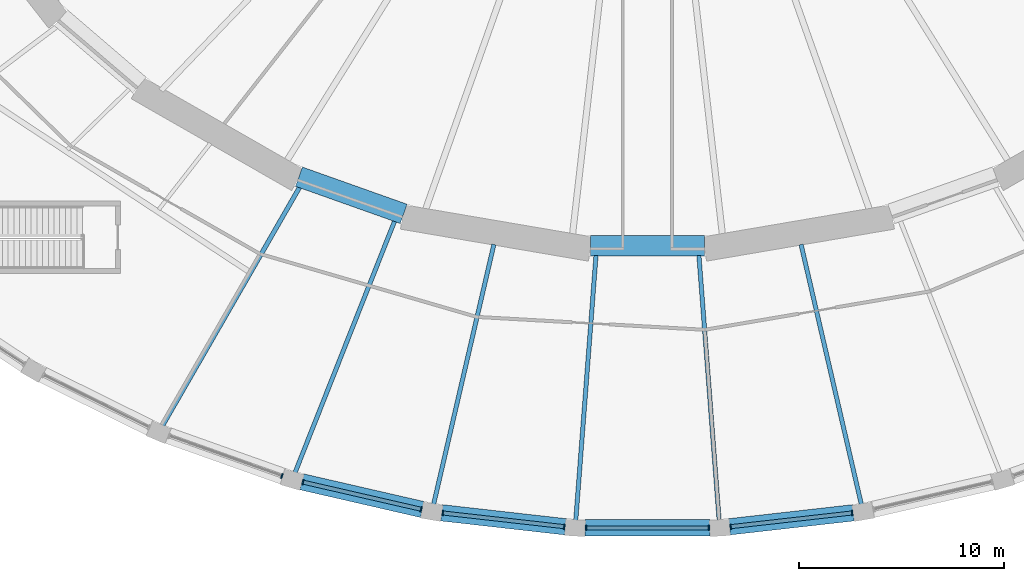
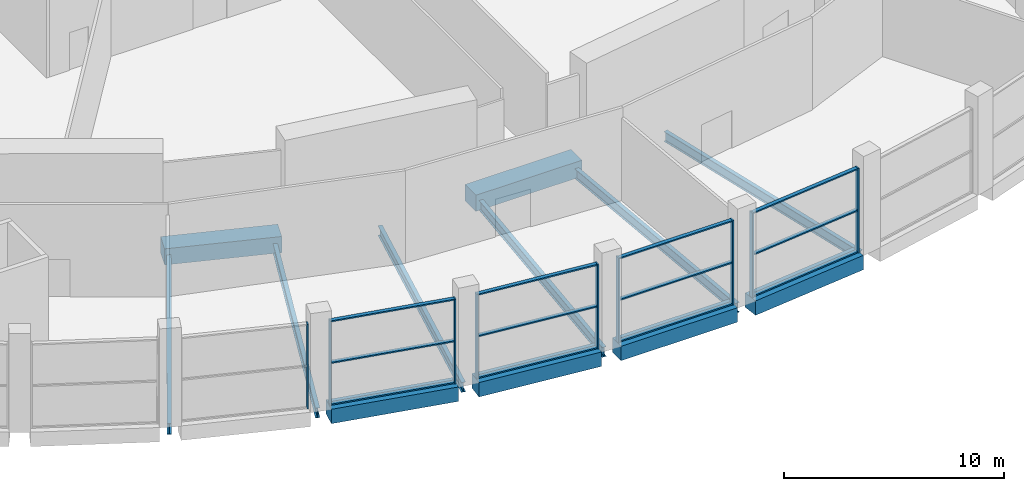
# One storey, part 3 of 29: 21 members, 12 beams, 5 elements without a shape of their own.
"""IFC4 building model written with IfcOpenShell, lengths in metres."""

from ifc_helpers import new_model, si_unit, direction, frame, origin, origin_2d, place, context, subcontext, project, spatial, rectangle, i_section, extrude, material, material_profile, profile_set, type_object, element, aggregate, save


model = new_model("IFC4")

# Units and contexts
model_context = context("Model", 3, precision=1e-05, world=origin(), true_north=direction((0.0, 1.0)))
body_context = subcontext(model_context, "Body", "Model", "MODEL_VIEW")
ifc_project = project(units=[si_unit("LENGTHUNIT", "METRE"), si_unit("AREAUNIT", "SQUARE_METRE"), si_unit("VOLUMEUNIT", "CUBIC_METRE"), si_unit("PLANEANGLEUNIT", "RADIAN"), si_unit("MASSUNIT", "GRAM", prefix="KILO")], contexts=[model_context])

# Site, building, storey
site_placement = place(None, origin())
site = spatial("IfcSite", under=ifc_project, at=site_placement, CompositionType="ELEMENT")
building_placement = place(site_placement, origin())
building = spatial("IfcBuilding", under=site, at=building_placement, Name="Halqa Exchange Tower", CompositionType="ELEMENT")
storey_placement = place(building_placement, frame((0.0, 0.0, 12.5)))
storey = spatial("IfcBuildingStorey", under=building, at=storey_placement, Name="L02", CompositionType="ELEMENT", Elevation=12.5)

# Curtain wall, member
ifc_material_1 = material(Name="Anodised aluminium and clear glass", Category="aluminium")
curtain_wall_type = type_object("IfcCurtainWallType", Name="Exchange hall glazing", PredefinedType="NOTDEFINED", material=ifc_material_1)
curtain_wall_1_placement = place(storey_placement, origin())
curtain_wall_1 = element("IfcCurtainWall", 1, at=curtain_wall_1_placement, inside=storey, type_object=curtain_wall_type, Name="Exchange hall glazing run P33", PredefinedType="NOTDEFINED")
ifc_material_2 = material(Name="Anodised aluminium", Category="aluminium")
ifc_material_profile_1 = material_profile(ifc_material_2, rectangle(XDim=0.25, YDim=0.070068359375, at=origin_2d()), Name="AL 70x250")
ifc_profile_set_1 = profile_set([ifc_material_profile_1], Name="Anodised aluminium")
member_type_1 = type_object("IfcMemberType", Name="Exchange hall glazing mullion 70 x 250", PredefinedType="MULLION", material=ifc_profile_set_1)
member_1_placement = place(storey_placement, frame((-17.86181640625, -43.663818359375, 0.0), z_axis=(0.0, 0.0, 1.0), x_axis=(0.334688348326, 0.942328875444, 0.0)))
member_1 = element("IfcMember", 2, at=member_1_placement, type_object=member_type_1, Name="P33 mullion 2", PredefinedType="MULLION", context=body_context, shape_type="SweptSolid", body=[
    extrude(rectangle(XDim=0.25, YDim=0.070068359375, at=origin_2d()), origin(), (0.0, 0.0, 1.0), 4.699951171875),
])
aggregate(curtain_wall_1, [member_1])

# Curtain wall, members
curtain_wall_2_placement = place(storey_placement, origin())
curtain_wall_2 = element("IfcCurtainWall", 3, at=curtain_wall_2_placement, inside=storey, type_object=curtain_wall_type, Name="Exchange hall glazing run P34", PredefinedType="NOTDEFINED")
member_2_placement = place(storey_placement, frame((-16.836181640625, -43.962646484375, 0.0), z_axis=(0.0, 0.0, 1.0), x_axis=(0.223896655269, 0.974612891234, 0.0)))
member_2 = element("IfcMember", 4, at=member_2_placement, type_object=member_type_1, Name="P34 mullion 1", PredefinedType="MULLION", context=body_context, shape_type="SweptSolid", body=[
    extrude(rectangle(XDim=0.25, YDim=0.070068359375, at=origin_2d()), origin(), (0.0, 0.0, 1.0), 4.699951171875),
])
member_3_placement = place(storey_placement, frame((-11.056396484375, -45.29052734375, 0.0), z_axis=(0.0, 0.0, 1.0), x_axis=(0.223896655269, 0.974612891234, 0.0)))
member_3 = element("IfcMember", 5, at=member_3_placement, type_object=member_type_1, Name="P34 mullion 2", PredefinedType="MULLION", context=body_context, shape_type="SweptSolid", body=[
    extrude(rectangle(XDim=0.25, YDim=0.070068359375, at=origin_2d()), origin(), (0.0, 0.0, 1.0), 4.699951171875),
])

curtain_wall_3_placement = place(storey_placement, origin())
curtain_wall_3 = element("IfcCurtainWall", 6, at=curtain_wall_3_placement, inside=storey, type_object=curtain_wall_type, Name="Exchange hall glazing run P35", PredefinedType="NOTDEFINED")
member_4_placement = place(storey_placement, frame((-10.00341796875, -45.470458984375, 0.0), z_axis=(0.0, 0.0, 1.0), x_axis=(0.112159098874, 0.993690261872, 0.0)))
member_4 = element("IfcMember", 7, at=member_4_placement, type_object=member_type_1, Name="P35 mullion 1", PredefinedType="MULLION", context=body_context, shape_type="SweptSolid", body=[
    extrude(rectangle(XDim=0.25, YDim=0.070068359375, at=origin_2d()), origin(), (0.0, 0.0, 1.0), 4.699951171875),
])
member_5_placement = place(storey_placement, frame((-4.0634765625, -46.140869140625, 0.0), z_axis=(0.0, 0.0, 1.0), x_axis=(0.112159098874, 0.993690261872, 0.0)))
member_5 = element("IfcMember", 8, at=member_5_placement, type_object=member_type_1, Name="P35 mullion 2", PredefinedType="MULLION", context=body_context, shape_type="SweptSolid", body=[
    extrude(rectangle(XDim=0.25, YDim=0.070068359375, at=origin_2d()), origin(), (0.0, 0.0, 1.0), 4.699951171875),
])

curtain_wall_4_placement = place(storey_placement, origin())
curtain_wall_4 = element("IfcCurtainWall", 9, at=curtain_wall_4_placement, inside=storey, type_object=curtain_wall_type, Name="Exchange hall glazing run P36", PredefinedType="NOTDEFINED")
member_6_placement = place(storey_placement, frame((-2.996826171875, -46.200927734375, 0.0), z_axis=(0.0, 0.0, 1.0), x_axis=(0.0, 1.0, 0.0)))
member_6 = element("IfcMember", 10, at=member_6_placement, type_object=member_type_1, Name="P36 mullion 1", PredefinedType="MULLION", context=body_context, shape_type="SweptSolid", body=[
    extrude(rectangle(XDim=0.25, YDim=0.070068359375, at=origin_2d()), origin(), (0.0, 0.0, 1.0), 4.699951171875),
])
member_7_placement = place(storey_placement, frame((2.996826171875, -46.200927734375, 0.0), z_axis=(0.0, 0.0, 1.0), x_axis=(0.0, 1.0, 0.0)))
member_7 = element("IfcMember", 11, at=member_7_placement, type_object=member_type_1, Name="P36 mullion 2", PredefinedType="MULLION", context=body_context, shape_type="SweptSolid", body=[
    extrude(rectangle(XDim=0.25, YDim=0.070068359375, at=origin_2d()), origin(), (0.0, 0.0, 1.0), 4.699951171875),
])

curtain_wall_5_placement = place(storey_placement, origin())
curtain_wall_5 = element("IfcCurtainWall", 12, at=curtain_wall_5_placement, inside=storey, type_object=curtain_wall_type, Name="Exchange hall glazing run P37", PredefinedType="NOTDEFINED")
member_8_placement = place(storey_placement, frame((4.0634765625, -46.140869140625, 0.0), z_axis=(0.0, 0.0, 1.0), x_axis=(-0.112159098874, 0.993690261872, 0.0)))
member_8 = element("IfcMember", 13, at=member_8_placement, type_object=member_type_1, Name="P37 mullion 1", PredefinedType="MULLION", context=body_context, shape_type="SweptSolid", body=[
    extrude(rectangle(XDim=0.25, YDim=0.070068359375, at=origin_2d()), origin(), (0.0, 0.0, 1.0), 4.699951171875),
])
member_9_placement = place(storey_placement, frame((10.00341796875, -45.470458984375, 0.0), z_axis=(0.0, 0.0, 1.0), x_axis=(-0.112159098874, 0.993690261872, 0.0)))
member_9 = element("IfcMember", 14, at=member_9_placement, type_object=member_type_1, Name="P37 mullion 2", PredefinedType="MULLION", context=body_context, shape_type="SweptSolid", body=[
    extrude(rectangle(XDim=0.25, YDim=0.070068359375, at=origin_2d()), origin(), (0.0, 0.0, 1.0), 4.699951171875),
])

# Member
ifc_material_profile_2 = material_profile(ifc_material_2, rectangle(XDim=0.199951171875, YDim=0.070068359375, at=origin_2d()), Name="AL 70x200")
ifc_profile_set_2 = profile_set([ifc_material_profile_2], Name="Anodised aluminium")
member_type_2 = type_object("IfcMemberType", Name="Exchange hall glazing transom 70 x 200", PredefinedType="USERDEFINED", material=ifc_profile_set_2)
member_10_placement = place(storey_placement, frame((-16.80224609375, -43.970458984375, 0.034912109375), z_axis=(0.974610483498, -0.223907135784, 0.0), x_axis=(0.223907135784, 0.974610483498, 0.0)))
member_10 = element("IfcMember", 15, at=member_10_placement, type_object=member_type_2, Name="P34 transom 1.1", ObjectType="TRANSOM", PredefinedType="USERDEFINED", context=body_context, shape_type="SweptSolid", body=[
    extrude(rectangle(XDim=0.199951171875, YDim=0.070068359375, at=origin_2d()), origin(), (0.0, 0.0, 1.0), 5.860595703125),
])

member_11_placement = place(storey_placement, frame((-16.80224609375, -43.970458984375, 2.35009765625), z_axis=(0.974610483498, -0.223907135784, 0.0), x_axis=(0.223907135784, 0.974610483498, 0.0)))
member_11 = element("IfcMember", 16, at=member_11_placement, type_object=member_type_2, Name="P34 transom 1.2", ObjectType="TRANSOM", PredefinedType="USERDEFINED", context=body_context, shape_type="SweptSolid", body=[
    extrude(rectangle(XDim=0.199951171875, YDim=0.070068359375, at=origin_2d()), origin(), (0.0, 0.0, 1.0), 5.860595703125),
])

member_12_placement = place(storey_placement, frame((-16.80224609375, -43.970458984375, 4.6650390625), z_axis=(0.974610483498, -0.223907135784, 0.0), x_axis=(0.223907135784, 0.974610483498, 0.0)))
member_12 = element("IfcMember", 17, at=member_12_placement, type_object=member_type_2, Name="P34 transom 1.3", ObjectType="TRANSOM", PredefinedType="USERDEFINED", context=body_context, shape_type="SweptSolid", body=[
    extrude(rectangle(XDim=0.199951171875, YDim=0.070068359375, at=origin_2d()), origin(), (0.0, 0.0, 1.0), 5.860595703125),
])

aggregate(curtain_wall_2, [member_2, member_3, member_10, member_11, member_12])

member_13_placement = place(storey_placement, frame((-9.968505859375, -45.474365234375, 0.034912109375), z_axis=(0.993690216271, -0.112159502889, 0.0), x_axis=(0.112159502889, 0.993690216271, 0.0)))
member_13 = element("IfcMember", 18, at=member_13_placement, type_object=member_type_2, Name="P35 transom 1.1", ObjectType="TRANSOM", PredefinedType="USERDEFINED", context=body_context, shape_type="SweptSolid", body=[
    extrude(rectangle(XDim=0.199951171875, YDim=0.070068359375, at=origin_2d()), origin(), (0.0, 0.0, 1.0), 5.90771484375),
])

member_14_placement = place(storey_placement, frame((-9.968505859375, -45.474365234375, 2.35009765625), z_axis=(0.993690216271, -0.112159502889, 0.0), x_axis=(0.112159502889, 0.993690216271, 0.0)))
member_14 = element("IfcMember", 19, at=member_14_placement, type_object=member_type_2, Name="P35 transom 1.2", ObjectType="TRANSOM", PredefinedType="USERDEFINED", context=body_context, shape_type="SweptSolid", body=[
    extrude(rectangle(XDim=0.199951171875, YDim=0.070068359375, at=origin_2d()), origin(), (0.0, 0.0, 1.0), 5.90771484375),
])

member_15_placement = place(storey_placement, frame((-9.968505859375, -45.474365234375, 4.6650390625), z_axis=(0.993690216271, -0.112159502889, 0.0), x_axis=(0.112159502889, 0.993690216271, 0.0)))
member_15 = element("IfcMember", 20, at=member_15_placement, type_object=member_type_2, Name="P35 transom 1.3", ObjectType="TRANSOM", PredefinedType="USERDEFINED", context=body_context, shape_type="SweptSolid", body=[
    extrude(rectangle(XDim=0.199951171875, YDim=0.070068359375, at=origin_2d()), origin(), (0.0, 0.0, 1.0), 5.90771484375),
])

aggregate(curtain_wall_3, [member_4, member_5, member_13, member_14, member_15])

member_16_placement = place(storey_placement, frame((-2.9619140625, -46.200927734375, 0.034912109375), z_axis=(1.0, 0.0, 0.0), x_axis=(0.0, 1.0, 0.0)))
member_16 = element("IfcMember", 21, at=member_16_placement, type_object=member_type_2, Name="P36 transom 1.1", ObjectType="TRANSOM", PredefinedType="USERDEFINED", context=body_context, shape_type="SweptSolid", body=[
    extrude(rectangle(XDim=0.199951171875, YDim=0.070068359375, at=origin_2d()), origin(), (0.0, 0.0, 1.0), 5.923828125),
])

member_17_placement = place(storey_placement, frame((-2.9619140625, -46.200927734375, 2.35009765625), z_axis=(1.0, 0.0, 0.0), x_axis=(0.0, 1.0, 0.0)))
member_17 = element("IfcMember", 22, at=member_17_placement, type_object=member_type_2, Name="P36 transom 1.2", ObjectType="TRANSOM", PredefinedType="USERDEFINED", context=body_context, shape_type="SweptSolid", body=[
    extrude(rectangle(XDim=0.199951171875, YDim=0.070068359375, at=origin_2d()), origin(), (0.0, 0.0, 1.0), 5.923828125),
])

member_18_placement = place(storey_placement, frame((-2.9619140625, -46.200927734375, 4.6650390625), z_axis=(1.0, 0.0, 0.0), x_axis=(0.0, 1.0, 0.0)))
member_18 = element("IfcMember", 23, at=member_18_placement, type_object=member_type_2, Name="P36 transom 1.3", ObjectType="TRANSOM", PredefinedType="USERDEFINED", context=body_context, shape_type="SweptSolid", body=[
    extrude(rectangle(XDim=0.199951171875, YDim=0.070068359375, at=origin_2d()), origin(), (0.0, 0.0, 1.0), 5.923828125),
])

aggregate(curtain_wall_4, [member_6, member_7, member_16, member_17, member_18])

member_19_placement = place(storey_placement, frame((4.09814453125, -46.136962890625, 0.034912109375), z_axis=(0.993690216271, 0.112159502889, 0.0), x_axis=(-0.112159502889, 0.993690216271, 0.0)))
member_19 = element("IfcMember", 24, at=member_19_placement, type_object=member_type_2, Name="P37 transom 1.1", ObjectType="TRANSOM", PredefinedType="USERDEFINED", context=body_context, shape_type="SweptSolid", body=[
    extrude(rectangle(XDim=0.199951171875, YDim=0.070068359375, at=origin_2d()), origin(), (0.0, 0.0, 1.0), 5.90771484375),
])

member_20_placement = place(storey_placement, frame((4.09814453125, -46.136962890625, 2.35009765625), z_axis=(0.993690216271, 0.112159502889, 0.0), x_axis=(-0.112159502889, 0.993690216271, 0.0)))
member_20 = element("IfcMember", 25, at=member_20_placement, type_object=member_type_2, Name="P37 transom 1.2", ObjectType="TRANSOM", PredefinedType="USERDEFINED", context=body_context, shape_type="SweptSolid", body=[
    extrude(rectangle(XDim=0.199951171875, YDim=0.070068359375, at=origin_2d()), origin(), (0.0, 0.0, 1.0), 5.90771484375),
])

member_21_placement = place(storey_placement, frame((4.09814453125, -46.136962890625, 4.6650390625), z_axis=(0.993690216271, 0.112159502889, 0.0), x_axis=(-0.112159502889, 0.993690216271, 0.0)))
member_21 = element("IfcMember", 26, at=member_21_placement, type_object=member_type_2, Name="P37 transom 1.3", ObjectType="TRANSOM", PredefinedType="USERDEFINED", context=body_context, shape_type="SweptSolid", body=[
    extrude(rectangle(XDim=0.199951171875, YDim=0.070068359375, at=origin_2d()), origin(), (0.0, 0.0, 1.0), 5.90771484375),
])

aggregate(curtain_wall_5, [member_8, member_9, member_19, member_20, member_21])

# Beams
ifc_material_3 = material(Name="Steel S355", Category="steel")
ifc_material_profile_3 = material_profile(ifc_material_3, i_section(OverallWidth=0.2099609375, OverallDepth=0.550048828125, WebThickness=0.010986328125, FlangeThickness=0.01708984375, FilletRadius=0.02392578125, at=origin_2d()), Name="IPE 550")
ifc_profile_set_3 = profile_set([ifc_material_profile_3], Name="Steel S355")
beam_type_1 = type_object("IfcBeamType", Name="Floor beam IPE 550", PredefinedType="BEAM", material=ifc_profile_set_3)
beam_1_placement = place(storey_placement, frame((-12.352294921875, -31.2001953125, -0.625), z_axis=(-0.368106640822, -0.929783577497, 0.0), x_axis=(0.929783577497, -0.368106640822, 0.0)))
element("IfcBeam", 27, at=beam_1_placement, inside=storey, type_object=beam_type_1, Name="Radial beam 34", PredefinedType="BEAM", context=body_context, shape_type="SweptSolid", body=[
    extrude(i_section(OverallWidth=0.2099609375, OverallDepth=0.550048828125, WebThickness=0.010986328125, FlangeThickness=0.01708984375, FilletRadius=0.02392578125, at=origin_2d()), origin(), (0.0, 0.0, 1.0), 13.22412109375),
])
beam_2_placement = place(storey_placement, frame((-7.5048828125, -32.35009765625, -0.625), z_axis=(-0.2259960959, -0.974128207495, 0.0), x_axis=(0.974128207495, -0.2259960959, 0.0)))
element("IfcBeam", 28, at=beam_2_placement, inside=storey, type_object=beam_type_1, Name="Radial beam 35", PredefinedType="BEAM", context=body_context, shape_type="SweptSolid", body=[
    extrude(i_section(OverallWidth=0.2099609375, OverallDepth=0.550048828125, WebThickness=0.010986328125, FlangeThickness=0.01708984375, FilletRadius=0.02392578125, at=origin_2d()), origin(), (0.0, 0.0, 1.0), 13.03466796875),
])
for number, where, z_axis, x_axis, name in (
    (29, (-2.513916015625, -32.88623046875, -0.625), (-0.076223337155, -0.997090769626, 0.0), (0.997090769626, -0.076223337155, 0.0), "Radial beam 36"),
    (30, (2.513916015625, -32.88623046875, -0.625), (0.076223337155, -0.997090769626, 0.0), (0.997090769626, 0.076223337155, 0.0), "Radial beam 37"),
):
    element("IfcBeam", number, at=place(storey_placement, frame(where, z_axis=z_axis, x_axis=x_axis)), inside=storey, type_object=beam_type_1, Name=name, PredefinedType="BEAM", context=body_context, shape_type="SweptSolid", body=[
        extrude(i_section(OverallWidth=0.2099609375, OverallDepth=0.550048828125, WebThickness=0.010986328125, FlangeThickness=0.01708984375, FilletRadius=0.02392578125, at=origin_2d()), origin(), (0.0, 0.0, 1.0), 12.981689453125),
    ])
beam_3_placement = place(storey_placement, frame((7.5048828125, -32.35009765625, -0.625), z_axis=(0.2259960959, -0.974128207495, 0.0), x_axis=(0.974128207495, 0.2259960959, 0.0)))
element("IfcBeam", 31, at=beam_3_placement, inside=storey, type_object=beam_type_1, Name="Radial beam 38", PredefinedType="BEAM", context=body_context, shape_type="SweptSolid", body=[
    extrude(i_section(OverallWidth=0.2099609375, OverallDepth=0.550048828125, WebThickness=0.010986328125, FlangeThickness=0.01708984375, FilletRadius=0.02392578125, at=origin_2d()), origin(), (0.0, 0.0, 1.0), 13.03466796875),
])
ifc_material_profile_4 = material_profile(ifc_material_3, i_section(OverallWidth=0.219970703125, OverallDepth=0.60009765625, WebThickness=0.011962890625, FlangeThickness=0.01904296875, FilletRadius=0.02392578125, at=origin_2d()), Name="IPE 600")
ifc_profile_set_4 = profile_set([ifc_material_profile_4], Name="Steel S355")
beam_type_2 = type_object("IfcBeamType", Name="Floor beam IPE 600", PredefinedType="BEAM", material=ifc_profile_set_4)
beam_4_placement = place(storey_placement, frame((-16.996826171875, -29.551513671875, -0.64990234375), z_axis=(-0.498570786865, -0.866848989435, 0.0), x_axis=(0.866848989435, -0.498570786865, 0.0)))
element("IfcBeam", 32, at=beam_4_placement, inside=storey, type_object=beam_type_2, Name="Radial beam 33", PredefinedType="BEAM", context=body_context, shape_type="SweptSolid", body=[
    extrude(i_section(OverallWidth=0.219970703125, OverallDepth=0.60009765625, WebThickness=0.011962890625, FlangeThickness=0.01904296875, FilletRadius=0.02392578125, at=origin_2d()), origin(), (0.0, 0.0, 1.0), 13.438720703125),
])
ifc_material_4 = material(Name="Concrete C60/75", Category="concrete")
ifc_material_profile_5 = material_profile(ifc_material_4, rectangle(XDim=0.800048828125, YDim=0.800048828125, at=origin_2d()), Name="800 x 800")
ifc_profile_set_5 = profile_set([ifc_material_profile_5], Name="Concrete C60/75")
beam_type_3 = type_object("IfcBeamType", Name="RC podium edge beam 800 x 800 C60/75", PredefinedType="SPANDREL", material=ifc_profile_set_5)
beam_5_placement = place(storey_placement, frame((-16.89794921875, -43.948486328125, -0.39990234375), z_axis=(0.974604133477, -0.223934774008, 0.0), x_axis=(0.223934774008, 0.974604133477, 0.0)))
element("IfcBeam", 33, at=beam_5_placement, inside=storey, type_object=beam_type_3, Name="Podium edge beam 34", PredefinedType="SPANDREL", context=body_context, shape_type="SweptSolid", body=[
    extrude(rectangle(XDim=0.800048828125, YDim=0.800048828125, at=origin_2d()), origin(), (0.0, 0.0, 1.0), 6.05517578125),
])
beam_6_placement = place(storey_placement, frame((-10.064453125, -45.46337890625, -0.39990234375), z_axis=(0.993688954696, -0.112170679393, 0.0), x_axis=(0.112170679393, 0.993688954696, 0.0)))
element("IfcBeam", 34, at=beam_6_placement, inside=storey, type_object=beam_type_3, Name="Podium edge beam 35", PredefinedType="SPANDREL", context=body_context, shape_type="SweptSolid", body=[
    extrude(rectangle(XDim=0.800048828125, YDim=0.800048828125, at=origin_2d()), origin(), (0.0, 0.0, 1.0), 6.100830078125),
])
beam_7_placement = place(storey_placement, frame((-3.05859375, -46.200927734375, -0.39990234375), z_axis=(1.0, 0.0, 0.0), x_axis=(0.0, 1.0, 0.0)))
element("IfcBeam", 35, at=beam_7_placement, inside=storey, type_object=beam_type_3, Name="Podium edge beam 36", PredefinedType="SPANDREL", context=body_context, shape_type="SweptSolid", body=[
    extrude(rectangle(XDim=0.800048828125, YDim=0.800048828125, at=origin_2d()), origin(), (0.0, 0.0, 1.0), 6.1171875),
])
beam_8_placement = place(storey_placement, frame((4.002197265625, -46.147705078125, -0.39990234375), z_axis=(0.993688954696, 0.112170679393, 0.0), x_axis=(-0.112170679393, 0.993688954696, 0.0)))
element("IfcBeam", 36, at=beam_8_placement, inside=storey, type_object=beam_type_3, Name="Podium edge beam 37", PredefinedType="SPANDREL", context=body_context, shape_type="SweptSolid", body=[
    extrude(rectangle(XDim=0.800048828125, YDim=0.800048828125, at=origin_2d()), origin(), (0.0, 0.0, 1.0), 6.100830078125),
])
ifc_material_profile_6 = material_profile(ifc_material_4, rectangle(XDim=1.0, YDim=0.89990234375, at=origin_2d()), Name="1000 x 900")
ifc_profile_set_6 = profile_set([ifc_material_profile_6], Name="Concrete C60/75")
beam_type_4 = type_object("IfcBeamType", Name="RC spandrel beam 1000 x 900 C60/75", PredefinedType="SPANDREL", material=ifc_profile_set_6)
beam_9_placement = place(storey_placement, frame((-17.030029296875, -29.038818359375, -0.449951171875), z_axis=(0.942357788657, -0.334606930826, 0.0), x_axis=(0.334606930826, 0.942357788657, 0.0)))
element("IfcBeam", 37, at=beam_9_placement, inside=storey, type_object=beam_type_4, Name="Spandrel 22", PredefinedType="SPANDREL", context=body_context, shape_type="SweptSolid", body=[
    extrude(rectangle(XDim=1.0, YDim=0.89990234375, at=origin_2d()), origin(), (0.0, 0.0, 1.0), 5.429931640625),
])
beam_10_placement = place(storey_placement, frame((-2.789794921875, -32.41455078125, -0.449951171875), z_axis=(1.0, 0.0, 0.0), x_axis=(0.0, 1.0, 0.0)))
element("IfcBeam", 38, at=beam_10_placement, inside=storey, type_object=beam_type_4, Name="Spandrel 24", PredefinedType="SPANDREL", context=body_context, shape_type="SweptSolid", body=[
    extrude(rectangle(XDim=1.0, YDim=0.89990234375, at=origin_2d()), origin(), (0.0, 0.0, 1.0), 5.57958984375),
])

save(model, "model.ifc")
